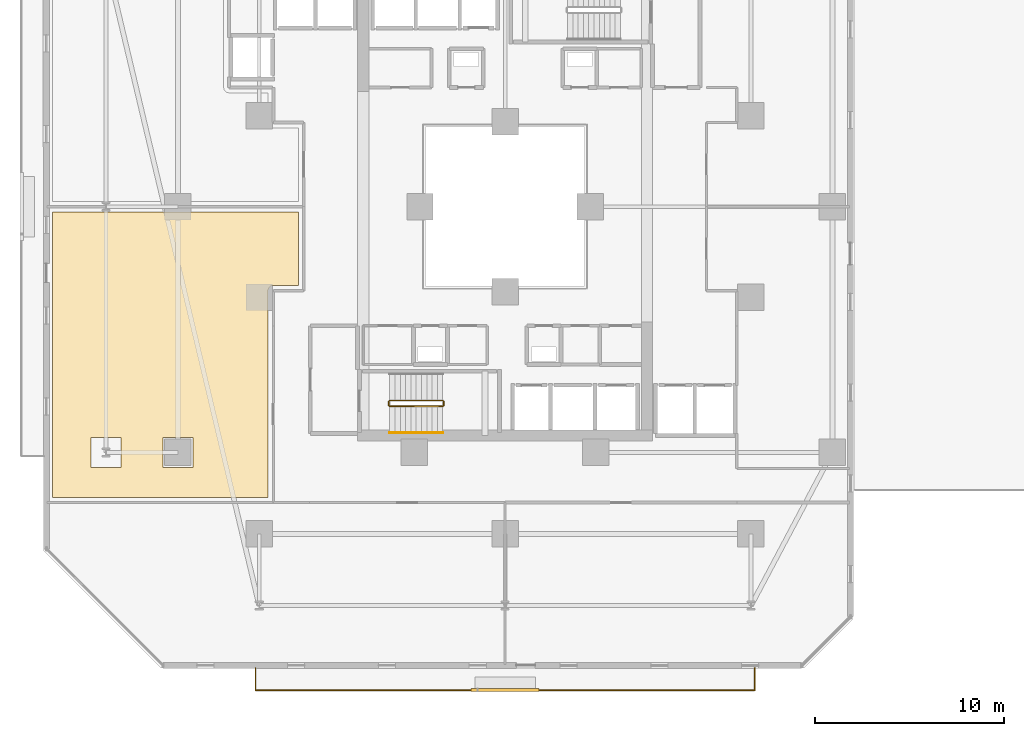
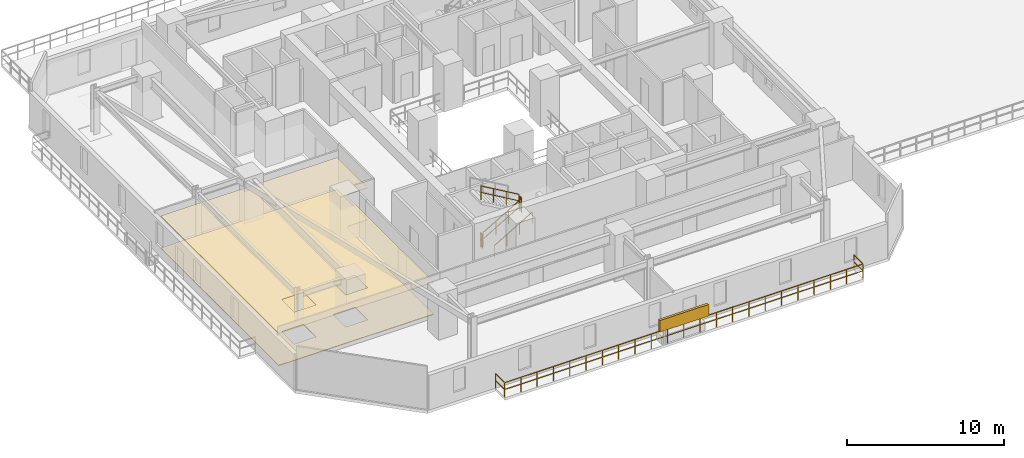
# One storey, part 29 of 34: 6 railings, 2 coverings, 1 shading device.
"""IFC4 building model written with IfcOpenShell, lengths in metres."""

from ifc_helpers import new_model, si_unit, direction, frame, origin, origin_2d, place, context, subcontext, project, spatial, polyline, rectangle, outline, extrude, material, layer, layer_set, type_object, element, save


model = new_model("IFC4")

# Units and contexts
model_context = context("Model", 3, precision=1e-05, world=origin(), true_north=direction((0.0, 1.0)))
body_context = subcontext(model_context, "Body", "Model", "MODEL_VIEW")
ifc_project = project(units=[si_unit("LENGTHUNIT", "METRE"), si_unit("AREAUNIT", "SQUARE_METRE"), si_unit("VOLUMEUNIT", "CUBIC_METRE"), si_unit("PLANEANGLEUNIT", "RADIAN"), si_unit("MASSUNIT", "GRAM", prefix="KILO")], contexts=[model_context])

# Site, building, storey
site_placement = place(None, origin())
site = spatial("IfcSite", under=ifc_project, at=site_placement, CompositionType="ELEMENT")
building_placement = place(site_placement, origin())
building = spatial("IfcBuilding", under=site, at=building_placement, Name="Thornwick Lancets Civic Towers", CompositionType="ELEMENT")
storey_placement = place(building_placement, frame((0.0, 0.0, 27.89990234375)))
storey = spatial("IfcBuildingStorey", under=building, at=storey_placement, Name="L06", CompositionType="ELEMENT", Elevation=27.89990234375)

# Coverings
ifc_material_1 = material(Name="Perforated mineral acoustic ceiling tile")
ifc_layer_1 = layer(ifc_material_1, 0.0400390625, Name="Perforated mineral acoustic ceiling tile")
ifc_layer_set_1 = layer_set([ifc_layer_1], Name="Perforated mineral acoustic ceiling tile")
covering_type_1 = type_object("IfcCoveringType", Name="COV_CEIL_ACOUSTIC", PredefinedType="CEILING", material=ifc_layer_set_1)
covering_1_placement = place(storey_placement, frame((0.0, 0.0, 2.505126953125)))
element("IfcCovering", 1, at=covering_1_placement, inside=storey, type_object=covering_type_1, Name="L06 Tower A Ministry Directorate Office W1 Ceiling", PredefinedType="CEILING", context=body_context, shape_type="SweptSolid", body=[
    extrude(outline(polyline([(14.570068359375, 22.830078125), (13.25, 22.830078125), (13.22265625, 22.82861328125), (13.1953125, 22.82470703125), (13.168701171875, 22.81787109375), (13.142822265625, 22.80859375), (13.117919921875, 22.796875), (13.094482421875, 22.78271484375), (13.072509765625, 22.766357421875), (13.052001953125, 22.748046875), (13.03369140625, 22.7275390625), (13.01708984375, 22.70556640625), (13.003173828125, 22.681884765625), (12.9912109375, 22.6572265625), (12.982177734375, 22.63134765625), (12.975341796875, 22.6044921875), (12.97119140625, 22.577392578125), (12.969970703125, 22.550048828125), (12.969970703125, 11.6298828125), (1.56005859375, 11.6298828125), (1.56005859375, 26.719970703125), (14.570068359375, 26.719970703125), (14.570068359375, 22.830078125)]), holes=[polyline([(7.39990234375, 13.199951171875), (9.0, 13.199951171875), (9.0, 14.800048828125), (7.39990234375, 14.800048828125), (7.39990234375, 13.199951171875)]), polyline([(3.60009765625, 13.199951171875), (5.199951171875, 13.199951171875), (5.199951171875, 14.800048828125), (3.60009765625, 14.800048828125), (3.60009765625, 13.199951171875)])]), origin(), (0.0, 0.0, 1.0), 0.0400390625),
])
ifc_material_2 = material(Name="Calcium-sulfate raised access floor panel")
ifc_layer_2 = layer(ifc_material_2, 0.050048828125, Name="Calcium-sulfate raised access floor panel")
ifc_layer_set_2 = layer_set([ifc_layer_2], Name="Calcium-sulfate raised access floor panel")
covering_type_2 = type_object("IfcCoveringType", Name="COV_FLOOR_RAISED", PredefinedType="FLOORING", material=ifc_layer_set_2)
covering_2_placement = place(storey_placement, origin())
element("IfcCovering", 2, at=covering_2_placement, inside=storey, type_object=covering_type_2, Name="L06 Tower A Ministry Directorate Office W1 Raised Access Flooring", PredefinedType="FLOORING", context=body_context, shape_type="SweptSolid", body=[
    extrude(outline(polyline([(14.570068359375, 22.830078125), (13.25, 22.830078125), (13.22265625, 22.82861328125), (13.1953125, 22.82470703125), (13.168701171875, 22.81787109375), (13.142822265625, 22.80859375), (13.117919921875, 22.796875), (13.094482421875, 22.78271484375), (13.072509765625, 22.766357421875), (13.052001953125, 22.748046875), (13.03369140625, 22.7275390625), (13.01708984375, 22.70556640625), (13.003173828125, 22.681884765625), (12.9912109375, 22.6572265625), (12.982177734375, 22.63134765625), (12.975341796875, 22.6044921875), (12.97119140625, 22.577392578125), (12.969970703125, 22.550048828125), (12.969970703125, 11.6298828125), (1.56005859375, 11.6298828125), (1.56005859375, 26.719970703125), (14.570068359375, 26.719970703125), (14.570068359375, 22.830078125)]), holes=[polyline([(7.39990234375, 13.199951171875), (9.0, 13.199951171875), (9.0, 14.800048828125), (7.39990234375, 14.800048828125), (7.39990234375, 13.199951171875)]), polyline([(3.60009765625, 13.199951171875), (5.199951171875, 13.199951171875), (5.199951171875, 14.800048828125), (3.60009765625, 14.800048828125), (3.60009765625, 13.199951171875)])]), origin(), (0.0, 0.0, 1.0), 0.050048828125),
])

# Railings
ifc_material_3 = material(Name="Brushed stainless steel S355", Category="steel")
railing_type_1 = type_object("IfcRailingType", Name="RAIL_HANDRAIL", PredefinedType="HANDRAIL", material=ifc_material_3)
railing_1_placement = place(storey_placement, frame((19.39990234375, 15.050048828125, 0.163818359375)))
element("IfcRailing", 3, at=railing_1_placement, inside=storey, type_object=railing_type_1, Name="L06 ST-A1 stair handrail 1", PredefinedType="HANDRAIL", context=body_context, shape_type="SweptSolid", body=[
    extrude(rectangle(XDim=0.048095703125, YDim=0.048095703125, at=origin_2d()), frame((0.0, 0.0, 0.8857421875), z_axis=(0.863393664356, 0.0, 0.504530851732), x_axis=(0.0, 1.0, 0.0)), (0.0, 0.0, 1.0), 3.2431640625),
    extrude(rectangle(XDim=0.0419921875, YDim=0.0419921875, at=origin_2d()), origin(), (0.0, 0.0, 1.0), 0.855712890625),
    extrude(rectangle(XDim=0.0419921875, YDim=0.0419921875, at=origin_2d()), frame((0.933349609375, 0.0, 0.54541015625)), (0.0, 0.0, 1.0), 0.855712890625),
    extrude(rectangle(XDim=0.0419921875, YDim=0.0419921875, at=origin_2d()), frame((1.86669921875, 0.0, 1.0908203125)), (0.0, 0.0, 1.0), 0.855712890625),
    extrude(rectangle(XDim=0.0419921875, YDim=0.0419921875, at=origin_2d()), frame((2.800048828125, 0.0, 1.63623046875)), (0.0, 0.0, 1.0), 0.855712890625),
])
ifc_material_4 = material(Name="Steel S355JR", Category="steel")
railing_type_2 = type_object("IfcRailingType", Name="RAIL_STAIR_GUARD", PredefinedType="GUARDRAIL", material=ifc_material_4)
railing_2_placement = place(storey_placement, frame((19.39990234375, 16.449951171875, 0.163818359375)))
element("IfcRailing", 4, at=railing_2_placement, inside=storey, type_object=railing_type_2, Name="L06 ST-A1 stair guard 1", PredefinedType="GUARDRAIL", context=body_context, shape_type="SweptSolid", body=[
    extrude(rectangle(XDim=0.048095703125, YDim=0.048095703125, at=origin_2d()), frame((0.0, 0.0, 1.076171875), z_axis=(0.863393664356, 0.0, 0.504530851732), x_axis=(0.0, 1.0, 0.0)), (0.0, 0.0, 1.0), 3.2431640625),
    extrude(rectangle(XDim=0.0419921875, YDim=0.0419921875, at=origin_2d()), frame((0.032470703125, 0.0, 0.591064453125), z_axis=(0.863393664356, 0.0, 0.504530851732), x_axis=(0.0, 1.0, 0.0)), (0.0, 0.0, 1.0), 1.006103515625),
    extrude(rectangle(XDim=0.0419921875, YDim=0.0419921875, at=origin_2d()), frame((0.9658203125, 0.0, 1.136474609375), z_axis=(0.863393664356, 0.0, 0.504530851732), x_axis=(0.0, 1.0, 0.0)), (0.0, 0.0, 1.0), 1.006103515625),
    extrude(rectangle(XDim=0.0419921875, YDim=0.0419921875, at=origin_2d()), frame((1.899169921875, 0.0, 1.681884765625), z_axis=(0.863393664356, 0.0, 0.504530851732), x_axis=(0.0, 1.0, 0.0)), (0.0, 0.0, 1.0), 1.006103515625),
    extrude(rectangle(XDim=0.0419921875, YDim=0.0419921875, at=origin_2d()), origin(), (0.0, 0.0, 1.0), 1.0458984375),
    extrude(rectangle(XDim=0.0419921875, YDim=0.0419921875, at=origin_2d()), frame((0.933349609375, 0.0, 0.54541015625)), (0.0, 0.0, 1.0), 1.0458984375),
    extrude(rectangle(XDim=0.0419921875, YDim=0.0419921875, at=origin_2d()), frame((1.86669921875, 0.0, 1.0908203125)), (0.0, 0.0, 1.0), 1.0458984375),
    extrude(rectangle(XDim=0.0419921875, YDim=0.0419921875, at=origin_2d()), frame((2.800048828125, 0.0, 1.63623046875)), (0.0, 0.0, 1.0), 1.0458984375),
])
railing_3_placement = place(storey_placement, frame((22.25, 16.5, 1.800048828125)))
element("IfcRailing", 5, at=railing_3_placement, inside=storey, type_object=railing_type_2, Name="L06 ST-A1 stair guard 2", PredefinedType="GUARDRAIL", context=body_context, shape_type="SweptSolid", body=[
    extrude(rectangle(XDim=0.048095703125, YDim=0.048095703125, at=origin_2d()), frame((0.0, 0.0, 1.076171875), z_axis=(0.0, 1.0, 0.0), x_axis=(-1.0, 0.0, 0.0)), (0.0, 0.0, 1.0), 0.199951171875),
    extrude(rectangle(XDim=0.0419921875, YDim=0.0419921875, at=origin_2d()), frame((0.0, 0.03759765625, 0.572021484375), z_axis=(0.0, 1.0, 0.0), x_axis=(-1.0, 0.0, 0.0)), (0.0, 0.0, 1.0), 0.125),
    extrude(rectangle(XDim=0.0419921875, YDim=0.0419921875, at=origin_2d()), origin(), (0.0, 0.0, 1.0), 1.0458984375),
    extrude(rectangle(XDim=0.0419921875, YDim=0.0419921875, at=origin_2d()), frame((0.0, 0.199951171875, 0.0)), (0.0, 0.0, 1.0), 1.0458984375),
])
railing_4_placement = place(storey_placement, frame((22.199951171875, 16.75, 1.963623046875)))
element("IfcRailing", 6, at=railing_4_placement, inside=storey, type_object=railing_type_2, Name="L06 ST-A1 stair guard 3", PredefinedType="GUARDRAIL", context=body_context, shape_type="SweptSolid", body=[
    extrude(rectangle(XDim=0.048095703125, YDim=0.048095703125, at=origin_2d()), frame((0.0, 0.0, 1.076171875), z_axis=(-0.863360870873, 0.0, 0.504586966384), x_axis=(0.0, -1.0, 0.0)), (0.0, 0.0, 1.0), 3.2431640625),
    extrude(rectangle(XDim=0.0419921875, YDim=0.0419921875, at=origin_2d()), frame((-0.032470703125, 0.0, 0.591064453125), z_axis=(-0.863360870873, 0.0, 0.504586966384), x_axis=(0.0, -1.0, 0.0)), (0.0, 0.0, 1.0), 1.006103515625),
    extrude(rectangle(XDim=0.0419921875, YDim=0.0419921875, at=origin_2d()), frame((-0.9658203125, 0.0, 1.136474609375), z_axis=(-0.863360870873, 0.0, 0.504586966384), x_axis=(0.0, -1.0, 0.0)), (0.0, 0.0, 1.0), 1.006103515625),
    extrude(rectangle(XDim=0.0419921875, YDim=0.0419921875, at=origin_2d()), frame((-1.899169921875, 0.0, 1.681884765625), z_axis=(-0.863360870873, 0.0, 0.504586966384), x_axis=(0.0, -1.0, 0.0)), (0.0, 0.0, 1.0), 1.006103515625),
    extrude(rectangle(XDim=0.0419921875, YDim=0.0419921875, at=origin_2d()), origin(), (0.0, 0.0, 1.0), 1.0458984375),
    extrude(rectangle(XDim=0.0419921875, YDim=0.0419921875, at=origin_2d()), frame((-0.933349609375, 0.0, 0.54541015625)), (0.0, 0.0, 1.0), 1.0458984375),
    extrude(rectangle(XDim=0.0419921875, YDim=0.0419921875, at=origin_2d()), frame((-1.86669921875, 0.0, 1.091064453125)), (0.0, 0.0, 1.0), 1.0458984375),
    extrude(rectangle(XDim=0.0419921875, YDim=0.0419921875, at=origin_2d()), frame((-2.800048828125, 0.0, 1.636474609375)), (0.0, 0.0, 1.0), 1.0458984375),
])
railing_5_placement = place(storey_placement, frame((19.35009765625, 16.5, 0.0)))
element("IfcRailing", 7, at=railing_5_placement, inside=storey, type_object=railing_type_2, Name="L06 ST-A1 stair guard 4", PredefinedType="GUARDRAIL", context=body_context, shape_type="SweptSolid", body=[
    extrude(rectangle(XDim=0.048095703125, YDim=0.048095703125, at=origin_2d()), frame((0.0, 0.0, 1.076171875), z_axis=(0.0, 1.0, 0.0), x_axis=(-1.0, 0.0, 0.0)), (0.0, 0.0, 1.0), 0.199951171875),
    extrude(rectangle(XDim=0.0419921875, YDim=0.0419921875, at=origin_2d()), frame((0.0, 0.03759765625, 0.572021484375), z_axis=(0.0, 1.0, 0.0), x_axis=(-1.0, 0.0, 0.0)), (0.0, 0.0, 1.0), 0.125),
    extrude(rectangle(XDim=0.0419921875, YDim=0.0419921875, at=origin_2d()), origin(), (0.0, 0.0, 1.0), 1.0458984375),
    extrude(rectangle(XDim=0.0419921875, YDim=0.0419921875, at=origin_2d()), frame((0.0, 0.199951171875, 0.0)), (0.0, 0.0, 1.0), 1.0458984375),
])
ifc_material_5 = material(Name="Terracotta-capped laminated glass balustrade S355", Category="masonry")
railing_type_3 = type_object("IfcRailingType", Name="RAIL_TERR_GUARD", PredefinedType="GUARDRAIL", material=ifc_material_5)
railing_6_placement = place(storey_placement, frame((12.300048828125, 2.60009765625, 0.0)))
element("IfcRailing", 8, at=railing_6_placement, inside=storey, type_object=railing_type_3, Name="L06 Tower A Balcony Guard S", PredefinedType="GUARDRAIL", context=body_context, shape_type="SweptSolid", body=[
    extrude(rectangle(XDim=0.048095703125, YDim=0.048095703125, at=origin_2d()), frame((0.0, 0.0, 1.1259765625), z_axis=(0.0, -1.0, 0.0), x_axis=(1.0, 0.0, 0.0)), (0.0, 0.0, 1.0), 1.138916015625),
    extrude(rectangle(XDim=0.0419921875, YDim=0.0419921875, at=origin_2d()), frame((0.0, -0.03759765625, 0.597900390625), z_axis=(0.0, -1.0, 0.0), x_axis=(1.0, 0.0, 0.0)), (0.0, 0.0, 1.0), 1.09521484375),
    extrude(rectangle(XDim=0.048095703125, YDim=0.048095703125, at=origin_2d()), frame((0.03125, -1.170166015625, 1.1259765625), z_axis=(1.0, 0.0, 0.0), x_axis=(0.0, 1.0, 0.0)), (0.0, 0.0, 1.0), 26.33740234375),
    extrude(rectangle(XDim=0.0419921875, YDim=0.0419921875, at=origin_2d()), frame((0.03759765625, -1.170166015625, 0.597900390625), z_axis=(1.0, 0.0, 0.0), x_axis=(0.0, 1.0, 0.0)), (0.0, 0.0, 1.0), 1.125),
    extrude(rectangle(XDim=0.0419921875, YDim=0.0419921875, at=origin_2d()), frame((1.237548828125, -1.170166015625, 0.597900390625), z_axis=(1.0, 0.0, 0.0), x_axis=(0.0, 1.0, 0.0)), (0.0, 0.0, 1.0), 1.125),
    extrude(rectangle(XDim=0.0419921875, YDim=0.0419921875, at=origin_2d()), frame((2.4375, -1.170166015625, 0.597900390625), z_axis=(1.0, 0.0, 0.0), x_axis=(0.0, 1.0, 0.0)), (0.0, 0.0, 1.0), 1.125),
    extrude(rectangle(XDim=0.0419921875, YDim=0.0419921875, at=origin_2d()), frame((3.637451171875, -1.170166015625, 0.597900390625), z_axis=(1.0, 0.0, 0.0), x_axis=(0.0, 1.0, 0.0)), (0.0, 0.0, 1.0), 1.125),
    extrude(rectangle(XDim=0.0419921875, YDim=0.0419921875, at=origin_2d()), frame((4.83740234375, -1.170166015625, 0.597900390625), z_axis=(1.0, 0.0, 0.0), x_axis=(0.0, 1.0, 0.0)), (0.0, 0.0, 1.0), 1.125),
    extrude(rectangle(XDim=0.0419921875, YDim=0.0419921875, at=origin_2d()), frame((6.037353515625, -1.170166015625, 0.597900390625), z_axis=(1.0, 0.0, 0.0), x_axis=(0.0, 1.0, 0.0)), (0.0, 0.0, 1.0), 1.125),
    extrude(rectangle(XDim=0.0419921875, YDim=0.0419921875, at=origin_2d()), frame((7.237548828125, -1.170166015625, 0.597900390625), z_axis=(1.0, 0.0, 0.0), x_axis=(0.0, 1.0, 0.0)), (0.0, 0.0, 1.0), 1.125),
    extrude(rectangle(XDim=0.0419921875, YDim=0.0419921875, at=origin_2d()), frame((8.4375, -1.170166015625, 0.597900390625), z_axis=(1.0, 0.0, 0.0), x_axis=(0.0, 1.0, 0.0)), (0.0, 0.0, 1.0), 1.125),
    extrude(rectangle(XDim=0.0419921875, YDim=0.0419921875, at=origin_2d()), frame((9.637451171875, -1.170166015625, 0.597900390625), z_axis=(1.0, 0.0, 0.0), x_axis=(0.0, 1.0, 0.0)), (0.0, 0.0, 1.0), 1.125),
    extrude(rectangle(XDim=0.0419921875, YDim=0.0419921875, at=origin_2d()), frame((10.83740234375, -1.170166015625, 0.597900390625), z_axis=(1.0, 0.0, 0.0), x_axis=(0.0, 1.0, 0.0)), (0.0, 0.0, 1.0), 1.125),
    extrude(rectangle(XDim=0.0419921875, YDim=0.0419921875, at=origin_2d()), frame((12.037353515625, -1.170166015625, 0.597900390625), z_axis=(1.0, 0.0, 0.0), x_axis=(0.0, 1.0, 0.0)), (0.0, 0.0, 1.0), 1.125),
    extrude(rectangle(XDim=0.0419921875, YDim=0.0419921875, at=origin_2d()), frame((13.237548828125, -1.170166015625, 0.597900390625), z_axis=(1.0, 0.0, 0.0), x_axis=(0.0, 1.0, 0.0)), (0.0, 0.0, 1.0), 1.125),
    extrude(rectangle(XDim=0.0419921875, YDim=0.0419921875, at=origin_2d()), frame((14.4375, -1.170166015625, 0.597900390625), z_axis=(1.0, 0.0, 0.0), x_axis=(0.0, 1.0, 0.0)), (0.0, 0.0, 1.0), 1.125),
    extrude(rectangle(XDim=0.0419921875, YDim=0.0419921875, at=origin_2d()), frame((15.637451171875, -1.170166015625, 0.597900390625), z_axis=(1.0, 0.0, 0.0), x_axis=(0.0, 1.0, 0.0)), (0.0, 0.0, 1.0), 1.125),
    extrude(rectangle(XDim=0.0419921875, YDim=0.0419921875, at=origin_2d()), frame((16.83740234375, -1.170166015625, 0.597900390625), z_axis=(1.0, 0.0, 0.0), x_axis=(0.0, 1.0, 0.0)), (0.0, 0.0, 1.0), 1.125),
    extrude(rectangle(XDim=0.0419921875, YDim=0.0419921875, at=origin_2d()), frame((18.037353515625, -1.170166015625, 0.597900390625), z_axis=(1.0, 0.0, 0.0), x_axis=(0.0, 1.0, 0.0)), (0.0, 0.0, 1.0), 1.125),
    extrude(rectangle(XDim=0.0419921875, YDim=0.0419921875, at=origin_2d()), frame((19.2373046875, -1.170166015625, 0.597900390625), z_axis=(1.0, 0.0, 0.0), x_axis=(0.0, 1.0, 0.0)), (0.0, 0.0, 1.0), 1.125),
    extrude(rectangle(XDim=0.0419921875, YDim=0.0419921875, at=origin_2d()), frame((20.4375, -1.170166015625, 0.597900390625), z_axis=(1.0, 0.0, 0.0), x_axis=(0.0, 1.0, 0.0)), (0.0, 0.0, 1.0), 1.125),
    extrude(rectangle(XDim=0.0419921875, YDim=0.0419921875, at=origin_2d()), frame((21.637451171875, -1.170166015625, 0.597900390625), z_axis=(1.0, 0.0, 0.0), x_axis=(0.0, 1.0, 0.0)), (0.0, 0.0, 1.0), 1.125),
    extrude(rectangle(XDim=0.0419921875, YDim=0.0419921875, at=origin_2d()), frame((22.83740234375, -1.170166015625, 0.597900390625), z_axis=(1.0, 0.0, 0.0), x_axis=(0.0, 1.0, 0.0)), (0.0, 0.0, 1.0), 1.125),
    extrude(rectangle(XDim=0.0419921875, YDim=0.0419921875, at=origin_2d()), frame((24.037353515625, -1.170166015625, 0.597900390625), z_axis=(1.0, 0.0, 0.0), x_axis=(0.0, 1.0, 0.0)), (0.0, 0.0, 1.0), 1.125),
    extrude(rectangle(XDim=0.0419921875, YDim=0.0419921875, at=origin_2d()), frame((25.2373046875, -1.170166015625, 0.597900390625), z_axis=(1.0, 0.0, 0.0), x_axis=(0.0, 1.0, 0.0)), (0.0, 0.0, 1.0), 1.125),
    extrude(rectangle(XDim=0.048095703125, YDim=0.048095703125, at=origin_2d()), frame((26.39990234375, -1.138916015625, 1.1259765625), z_axis=(0.0, 1.0, 0.0), x_axis=(-1.0, 0.0, 0.0)), (0.0, 0.0, 1.0), 1.138916015625),
    extrude(rectangle(XDim=0.0419921875, YDim=0.0419921875, at=origin_2d()), frame((26.39990234375, -1.132568359375, 0.597900390625), z_axis=(0.0, 1.0, 0.0), x_axis=(-1.0, 0.0, 0.0)), (0.0, 0.0, 1.0), 1.09521484375),
    extrude(rectangle(XDim=0.0419921875, YDim=0.0419921875, at=origin_2d()), origin(), (0.0, 0.0, 1.0), 1.095703125),
    extrude(rectangle(XDim=0.0419921875, YDim=0.0419921875, at=origin_2d()), frame((0.0, -1.170166015625, 0.0)), (0.0, 0.0, 1.0), 1.095703125),
    extrude(rectangle(XDim=0.0419921875, YDim=0.0419921875, at=origin_2d()), frame((1.199951171875, -1.170166015625, 0.0)), (0.0, 0.0, 1.0), 1.095703125),
    extrude(rectangle(XDim=0.0419921875, YDim=0.0419921875, at=origin_2d()), frame((2.39990234375, -1.170166015625, 0.0)), (0.0, 0.0, 1.0), 1.095703125),
    extrude(rectangle(XDim=0.0419921875, YDim=0.0419921875, at=origin_2d()), frame((3.60009765625, -1.170166015625, 0.0)), (0.0, 0.0, 1.0), 1.095703125),
    extrude(rectangle(XDim=0.0419921875, YDim=0.0419921875, at=origin_2d()), frame((4.800048828125, -1.170166015625, 0.0)), (0.0, 0.0, 1.0), 1.095703125),
    extrude(rectangle(XDim=0.0419921875, YDim=0.0419921875, at=origin_2d()), frame((6.0, -1.170166015625, 0.0)), (0.0, 0.0, 1.0), 1.095703125),
    extrude(rectangle(XDim=0.0419921875, YDim=0.0419921875, at=origin_2d()), frame((7.199951171875, -1.170166015625, 0.0)), (0.0, 0.0, 1.0), 1.095703125),
    extrude(rectangle(XDim=0.0419921875, YDim=0.0419921875, at=origin_2d()), frame((8.39990234375, -1.170166015625, 0.0)), (0.0, 0.0, 1.0), 1.095703125),
    extrude(rectangle(XDim=0.0419921875, YDim=0.0419921875, at=origin_2d()), frame((9.599853515625, -1.170166015625, 0.0)), (0.0, 0.0, 1.0), 1.095703125),
    extrude(rectangle(XDim=0.0419921875, YDim=0.0419921875, at=origin_2d()), frame((10.800048828125, -1.170166015625, 0.0)), (0.0, 0.0, 1.0), 1.095703125),
    extrude(rectangle(XDim=0.0419921875, YDim=0.0419921875, at=origin_2d()), frame((12.0, -1.170166015625, 0.0)), (0.0, 0.0, 1.0), 1.095703125),
    extrude(rectangle(XDim=0.0419921875, YDim=0.0419921875, at=origin_2d()), frame((13.199951171875, -1.170166015625, 0.0)), (0.0, 0.0, 1.0), 1.095703125),
    extrude(rectangle(XDim=0.0419921875, YDim=0.0419921875, at=origin_2d()), frame((14.39990234375, -1.170166015625, 0.0)), (0.0, 0.0, 1.0), 1.095703125),
    extrude(rectangle(XDim=0.0419921875, YDim=0.0419921875, at=origin_2d()), frame((15.599853515625, -1.170166015625, 0.0)), (0.0, 0.0, 1.0), 1.095703125),
    extrude(rectangle(XDim=0.0419921875, YDim=0.0419921875, at=origin_2d()), frame((16.800048828125, -1.170166015625, 0.0)), (0.0, 0.0, 1.0), 1.095703125),
    extrude(rectangle(XDim=0.0419921875, YDim=0.0419921875, at=origin_2d()), frame((18.0, -1.170166015625, 0.0)), (0.0, 0.0, 1.0), 1.095703125),
    extrude(rectangle(XDim=0.0419921875, YDim=0.0419921875, at=origin_2d()), frame((19.199951171875, -1.170166015625, 0.0)), (0.0, 0.0, 1.0), 1.095703125),
    extrude(rectangle(XDim=0.0419921875, YDim=0.0419921875, at=origin_2d()), frame((20.39990234375, -1.170166015625, 0.0)), (0.0, 0.0, 1.0), 1.095703125),
    extrude(rectangle(XDim=0.0419921875, YDim=0.0419921875, at=origin_2d()), frame((21.599853515625, -1.170166015625, 0.0)), (0.0, 0.0, 1.0), 1.095703125),
    extrude(rectangle(XDim=0.0419921875, YDim=0.0419921875, at=origin_2d()), frame((22.7998046875, -1.170166015625, 0.0)), (0.0, 0.0, 1.0), 1.095703125),
    extrude(rectangle(XDim=0.0419921875, YDim=0.0419921875, at=origin_2d()), frame((24.0, -1.170166015625, 0.0)), (0.0, 0.0, 1.0), 1.095703125),
    extrude(rectangle(XDim=0.0419921875, YDim=0.0419921875, at=origin_2d()), frame((25.199951171875, -1.170166015625, 0.0)), (0.0, 0.0, 1.0), 1.095703125),
    extrude(rectangle(XDim=0.0419921875, YDim=0.0419921875, at=origin_2d()), frame((26.39990234375, -1.170166015625, 0.0)), (0.0, 0.0, 1.0), 1.095703125),
    extrude(rectangle(XDim=0.0419921875, YDim=0.0419921875, at=origin_2d()), frame((26.39990234375, 0.0, 0.0)), (0.0, 0.0, 1.0), 1.095703125),
])

# Shading device
ifc_material_6 = material(Name="Extruded terracotta baguette solar screen", Category="masonry")
shading_device_type = type_object("IfcShadingDeviceType", Name="SHADE_BAGUETTE", PredefinedType="JALOUSIE", material=ifc_material_6)
shading_device_placement = place(storey_placement, frame((25.5, 1.43994140625, 1.1201171875), z_axis=(0.0, 0.0, 1.0), x_axis=(1.0, 0.0, 0.0)))
element("IfcShadingDevice", 9, at=shading_device_placement, inside=storey, type_object=shading_device_type, Name="L06 Tower A Terracotta Baguette Screen S", PredefinedType="JALOUSIE", context=body_context, shape_type="SweptSolid", body=[
    extrude(rectangle(XDim=3.60009765625, YDim=0.179931640625, at=origin_2d()), origin(), (0.0, 0.0, 1.0), 0.89990234375),
])

save(model, "model.ifc")
